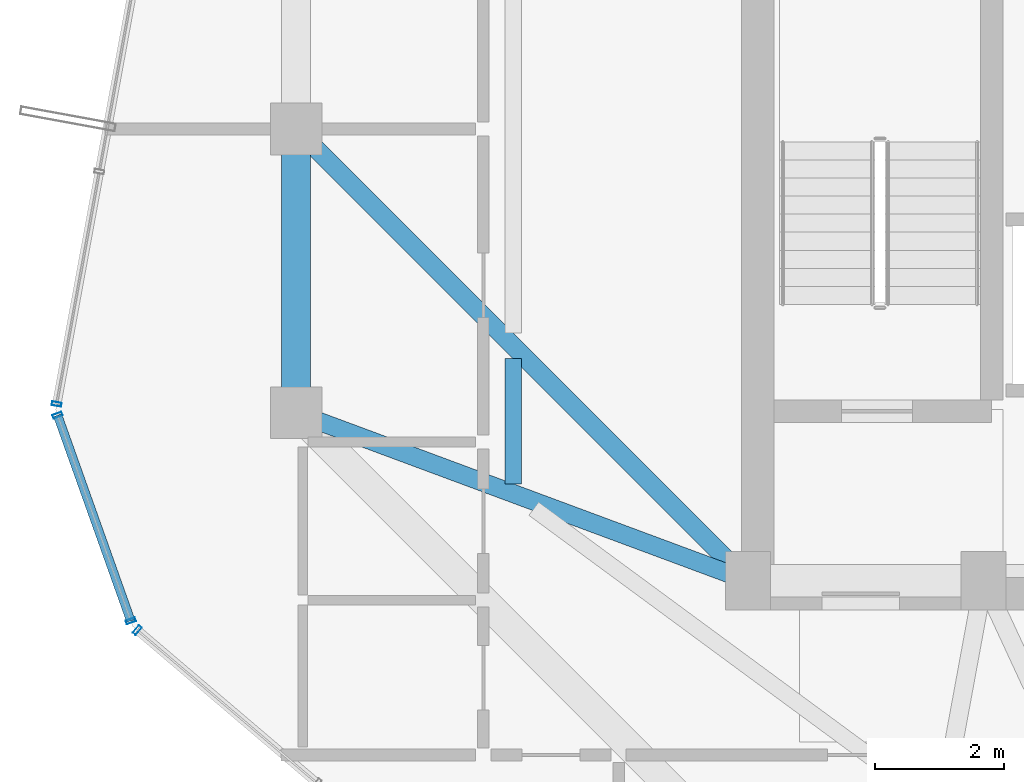
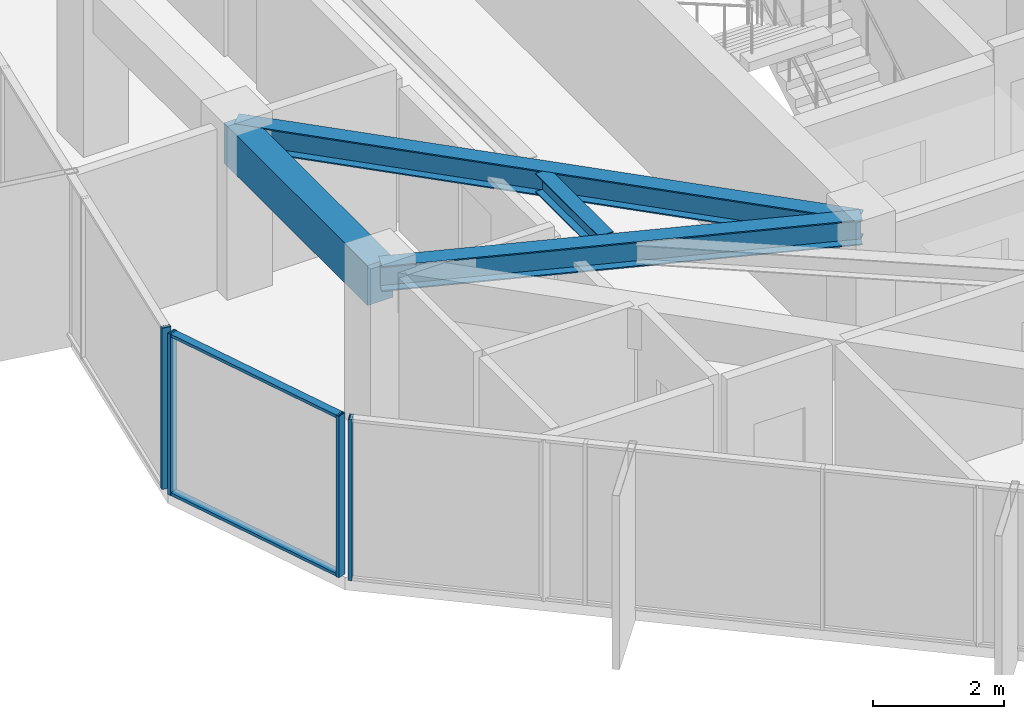
# One storey, part 6 of 29: 6 members, 4 beams, 3 elements without a shape of their own.
"""IFC4 building model written with IfcOpenShell, lengths in metres."""

from ifc_helpers import new_model, si_unit, direction, frame, origin, origin_2d, place, context, subcontext, project, spatial, rectangle, hollow_rectangle, i_section, extrude, source, transform, mapped, material, layer, layer_set, material_profile, profile_set, type_object, element, aggregate, save


model = new_model("IFC4")

# Units and contexts
model_context = context("Model", 3, precision=1e-05, world=origin(), true_north=direction((0.0, 1.0)))
body_context = subcontext(model_context, "Body", "Model", "MODEL_VIEW")
ifc_project = project(units=[si_unit("LENGTHUNIT", "METRE"), si_unit("AREAUNIT", "SQUARE_METRE"), si_unit("VOLUMEUNIT", "CUBIC_METRE"), si_unit("PLANEANGLEUNIT", "RADIAN"), si_unit("MASSUNIT", "GRAM", prefix="KILO")], contexts=[model_context])

# Site, building, storey
site_placement = place(None, origin())
site = spatial("IfcSite", under=ifc_project, at=site_placement, CompositionType="ELEMENT")
building_placement = place(site_placement, origin())
building = spatial("IfcBuilding", under=site, at=building_placement, Name="Veraguas Prism Commons", CompositionType="ELEMENT")
storey_placement = place(building_placement, frame((0.0, 0.0, 244.75)))
storey = spatial("IfcBuildingStorey", under=building, at=storey_placement, Name="L69", CompositionType="ELEMENT", Elevation=244.75)

# Beams
ifc_material_1 = material(Name="Concrete C50/60", Category="concrete")
ifc_material_profile_1 = material_profile(ifc_material_1, rectangle(XDim=0.449951171875, YDim=0.75, at=origin_2d()), Name="RC450X750")
ifc_profile_set_1 = profile_set([ifc_material_profile_1], Name="Concrete C50/60")
beam_type_1 = type_object("IfcBeamType", Name="Perimeter Spandrel Upper RC 450x750", PredefinedType="SPANDREL", material=ifc_profile_set_1)
beam_1_placement = place(storey_placement, frame((10.199951171875, 24.0, 2.639892578125), z_axis=(0.0, -1.0, 0.0), x_axis=(1.0, 0.0, 0.0)))
element("IfcBeam", 1, at=beam_1_placement, inside=storey, type_object=beam_type_1, Name="Perimeter Spandrel Beam L69-SP08", PredefinedType="SPANDREL", context=body_context, shape_type="SweptSolid", body=[
    extrude(rectangle(XDim=0.449951171875, YDim=0.75, at=origin_2d()), origin(), (0.0, 0.0, 1.0), 4.39990234375),
])
ifc_material_2 = material(Name="Steel ASTM A992 Grade 50", Category="steel")
ifc_material_profile_2 = material_profile(ifc_material_2, i_section(OverallWidth=0.25390625, OverallDepth=0.35302734375, WebThickness=0.009521484375, FlangeThickness=0.016357421875, at=origin_2d()), Name="W360X91")
ifc_profile_set_2 = profile_set([ifc_material_profile_2], Name="Steel ASTM A992 Grade 50")
beam_type_2 = type_object("IfcBeamType", Name="Upper Floor Joist W360x91", PredefinedType="JOIST", material=ifc_profile_set_2)
beam_2_placement = place(storey_placement, frame((13.56005859375, 20.442626953125, 2.83837890625), z_axis=(0.0, -1.0, 0.0), x_axis=(1.0, 0.0, 0.0)))
element("IfcBeam", 2, at=beam_2_placement, inside=storey, type_object=beam_type_2, Name="Composite Floor Joist L69-JS08", PredefinedType="JOIST", context=body_context, shape_type="SweptSolid", body=[
    extrude(i_section(OverallWidth=0.25390625, OverallDepth=0.35302734375, WebThickness=0.009521484375, FlangeThickness=0.016357421875, at=origin_2d()), origin(), (0.0, 0.0, 1.0), 1.94189453125),
])
ifc_material_profile_3 = material_profile(ifc_material_2, i_section(OverallWidth=0.282958984375, OverallDepth=0.471923828125, WebThickness=0.013671875, FlangeThickness=0.022216796875, at=origin_2d()), Name="W460X144")
ifc_profile_set_3 = profile_set([ifc_material_profile_3], Name="Steel ASTM A992 Grade 50")
beam_type_3 = type_object("IfcBeamType", Name="Zone 4 Radial Girder W460x144", PredefinedType="BEAM", material=ifc_profile_set_3)
beam_3_placement = place(storey_placement, frame((10.199951171875, 24.0, 2.779052734375), z_axis=(0.707106781187, -0.707106781187, 0.0), x_axis=(0.707106781187, 0.707106781187, 0.0)))
element("IfcBeam", 3, at=beam_3_placement, inside=storey, type_object=beam_type_3, Name="Radial Floor Girder L69-RD08", PredefinedType="BEAM", context=body_context, shape_type="SweptSolid", body=[
    extrude(i_section(OverallWidth=0.282958984375, OverallDepth=0.471923828125, WebThickness=0.013671875, FlangeThickness=0.022216796875, at=origin_2d()), origin(), (0.0, 0.0, 1.0), 9.8994140625),
])
beam_4_placement = place(storey_placement, frame((10.199951171875, 19.60009765625, 2.779052734375), z_axis=(0.937421003341, -0.348198021958, 0.0), x_axis=(0.348198021958, 0.937421003341, 0.0)))
element("IfcBeam", 4, at=beam_4_placement, inside=storey, type_object=beam_type_3, Name="Radial Floor Girder L69-RD09", PredefinedType="BEAM", context=body_context, shape_type="SweptSolid", body=[
    extrude(i_section(OverallWidth=0.282958984375, OverallDepth=0.471923828125, WebThickness=0.013671875, FlangeThickness=0.022216796875, at=origin_2d()), origin(), (0.0, 0.0, 1.0), 7.46728515625),
])

# Curtain wall, member
ifc_material_3 = material(Name="Anodised aluminium EN AW-6063 T6", Category="aluminium")
ifc_layer = layer(ifc_material_3, 0.14990234375, Name="Unitised Flush Curtain Wall Zone 4", Category="aluminium")
ifc_layer_set = layer_set([ifc_layer], Name="Anodised aluminium EN AW-6063 T6")
curtain_wall_type = type_object("IfcCurtainWallType", Name="Unitised Flush Curtain Wall Zone 4", PredefinedType="NOTDEFINED", material=ifc_layer_set)
curtain_wall_1_placement = place(storey_placement, origin())
curtain_wall_1 = element("IfcCurtainWall", 5, at=curtain_wall_1_placement, inside=storey, type_object=curtain_wall_type, Name="Tower Facade Curtain Wall L69-F3", PredefinedType="NOTDEFINED")
ifc_material_profile_4 = material_profile(ifc_material_3, hollow_rectangle(XDim=0.06005859375, YDim=0.14990234375, WallThickness=0.0029296875, at=origin_2d()), Name="AL60X150X3")
ifc_profile_set_4 = profile_set([ifc_material_profile_4], Name="Anodised aluminium EN AW-6063 T6")
member_type_1 = type_object("IfcMemberType", Name="Curtain Wall Mullion Upper AL 60x150x3", PredefinedType="MULLION", material=ifc_profile_set_4)
shared_shape_1 = source(origin(), body_context, "Body", "SweptSolid", [
    extrude(hollow_rectangle(XDim=0.06005859375, YDim=0.14990234375, WallThickness=0.0029296875, at=origin_2d()), origin(), (0.0, 0.0, 1.0), 3.014892578125),
])
member_1_placement = place(storey_placement, frame((6.488525390625, 19.73779296875, 0.0), z_axis=(0.0, 0.0, 1.0), x_axis=(-0.180524295216, -0.983570525604, 0.0)))
member_1 = element("IfcMember", 6, at=member_1_placement, type_object=member_type_1, Name="CW-Z4 Mullion 5", PredefinedType="MULLION", context=body_context, shape_type="MappedRepresentation", body=[
    mapped(shared_shape_1, transform((0.0, 0.0, 0.0), scale=1.0)),
])
aggregate(curtain_wall_1, [member_1])

curtain_wall_2_placement = place(storey_placement, origin())
curtain_wall_2 = element("IfcCurtainWall", 7, at=curtain_wall_2_placement, inside=storey, type_object=curtain_wall_type, Name="Tower Facade Curtain Wall L69-F4", PredefinedType="NOTDEFINED")
member_2_placement = place(storey_placement, frame((7.73583984375, 16.235107421875, 0.0), z_axis=(0.0, 0.0, 1.0), x_axis=(0.761538307537, -0.648119901063, 0.0)))
member_2 = element("IfcMember", 8, at=member_2_placement, type_object=member_type_1, Name="CW-Z4 Mullion 1", PredefinedType="MULLION", context=body_context, shape_type="MappedRepresentation", body=[
    mapped(shared_shape_1, transform((0.0, 0.0, 0.0), scale=1.0)),
])
aggregate(curtain_wall_2, [member_2])

# Curtain wall, members
curtain_wall_3_placement = place(storey_placement, origin())
curtain_wall_3 = element("IfcCurtainWall", 9, at=curtain_wall_3_placement, inside=storey, type_object=curtain_wall_type, Name="Chamfer Curtain Wall L69-C4", PredefinedType="NOTDEFINED")
member_3_placement = place(storey_placement, frame((6.50244140625, 19.564697265625, 0.0), z_axis=(0.0, 0.0, 1.0), x_axis=(0.335456502347, -0.942055696354, 0.0)))
member_3 = element("IfcMember", 10, at=member_3_placement, type_object=member_type_1, Name="CW-Z4 Mullion 1", PredefinedType="MULLION", context=body_context, shape_type="MappedRepresentation", body=[
    mapped(shared_shape_1, transform((0.0, 0.0, 0.0), scale=1.0)),
])
member_4_placement = place(storey_placement, frame((7.636962890625, 16.378173828125, 0.0), z_axis=(0.0, 0.0, 1.0), x_axis=(0.335456502347, -0.942055696354, 0.0)))
member_4 = element("IfcMember", 11, at=member_4_placement, type_object=member_type_1, Name="CW-Z4 Mullion 2", PredefinedType="MULLION", context=body_context, shape_type="MappedRepresentation", body=[
    mapped(shared_shape_1, transform((0.0, 0.0, 0.0), scale=1.0)),
])
ifc_material_profile_5 = material_profile(ifc_material_3, hollow_rectangle(XDim=0.054931640625, YDim=0.135009765625, WallThickness=0.0029296875, at=origin_2d()), Name="AL55X135X3")
ifc_profile_set_5 = profile_set([ifc_material_profile_5], Name="Anodised aluminium EN AW-6063 T6")
member_type_2 = type_object("IfcMemberType", Name="Curtain Wall Transom Standard AL 55x135x3", PredefinedType="USERDEFINED", material=ifc_profile_set_5)
shared_shape_2 = source(origin(), body_context, "Body", "SweptSolid", [
    extrude(hollow_rectangle(XDim=0.054931640625, YDim=0.135009765625, WallThickness=0.0029296875, at=origin_2d()), origin(), (0.0, 0.0, 1.0), 3.382568359375),
])
member_5_placement = place(storey_placement, frame((6.50244140625, 19.564697265625, 0.027587890625), z_axis=(0.33541261413, -0.942071323352, 0.0), x_axis=(0.0, 0.0, 1.0)))
member_5 = element("IfcMember", 12, at=member_5_placement, type_object=member_type_2, Name="CW-Z4 Transom 1", ObjectType="TRANSOM", PredefinedType="USERDEFINED", context=body_context, shape_type="MappedRepresentation", body=[
    mapped(shared_shape_2, transform((0.0, 0.0, 0.0), scale=1.0)),
])
member_6_placement = place(storey_placement, frame((6.50244140625, 19.564697265625, 2.987548828125), z_axis=(0.33541261413, -0.942071323352, 0.0), x_axis=(0.0, 0.0, 1.0)))
member_6 = element("IfcMember", 13, at=member_6_placement, type_object=member_type_2, Name="CW-Z4 Transom 2", ObjectType="TRANSOM", PredefinedType="USERDEFINED", context=body_context, shape_type="MappedRepresentation", body=[
    mapped(shared_shape_2, transform((0.0, 0.0, 0.0), scale=1.0)),
])
aggregate(curtain_wall_3, [member_3, member_4, member_5, member_6])

save(model, "model.ifc")
